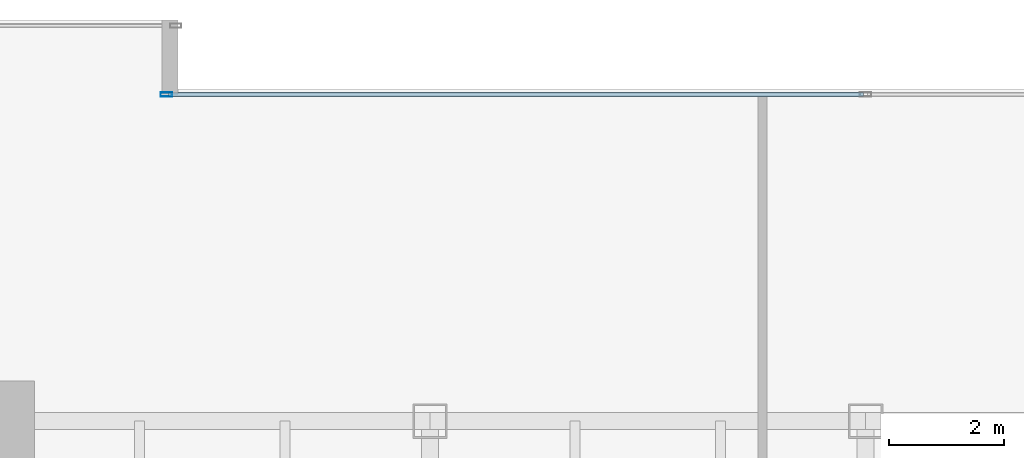
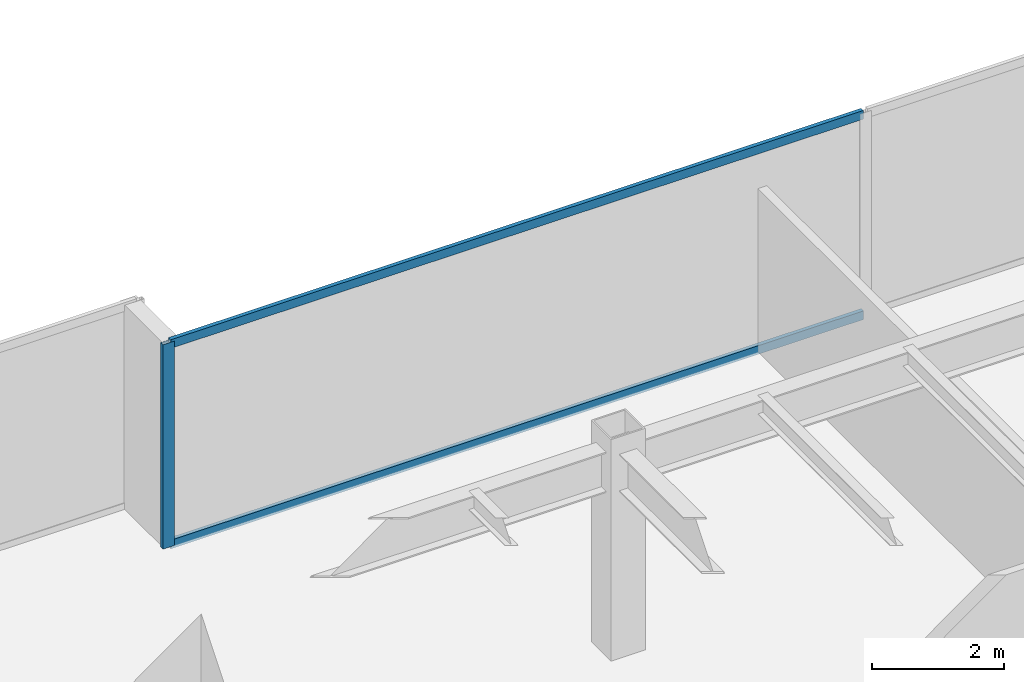
# One storey, part 14 of 35: 3 members, 1 element without a shape of its own.
"""IFC4 building model written with IfcOpenShell, lengths in metres."""

from ifc_helpers import new_model, si_unit, direction, frame, origin, origin_2d, place, context, subcontext, project, spatial, hollow_rectangle, extrude, source, transform, mapped, material, layer, layer_set, material_profile, profile_set, type_object, type_shapes, element, aggregate, save


model = new_model("IFC4")

# Units and contexts
model_context = context("Model", 3, precision=1e-05, world=origin(), true_north=direction((0.0, 1.0)))
body_context = subcontext(model_context, "Body", "Model", "MODEL_VIEW")
ifc_project = project(units=[si_unit("LENGTHUNIT", "METRE"), si_unit("AREAUNIT", "SQUARE_METRE"), si_unit("VOLUMEUNIT", "CUBIC_METRE"), si_unit("PLANEANGLEUNIT", "RADIAN"), si_unit("MASSUNIT", "GRAM", prefix="KILO")], contexts=[model_context])

# Site, building, storey
site_placement = place(None, origin())
site = spatial("IfcSite", under=ifc_project, at=site_placement, CompositionType="ELEMENT")
building_placement = place(site_placement, origin())
building = spatial("IfcBuilding", under=site, at=building_placement, Name="Haelvirn Gate Laboratories", CompositionType="ELEMENT")
storey_placement = place(building_placement, frame((0.0, 0.0, 58.0)))
storey = spatial("IfcBuildingStorey", under=building, at=storey_placement, Name="L14", CompositionType="ELEMENT", Elevation=58.0)

# Curtain wall, members
ifc_material_1 = material(Name="Anodised bronze unitised aluminium & triple low-E glass", Category="aluminium")
ifc_layer = layer(ifc_material_1, 0.18408203125, Name="CW-SYS-2")
ifc_layer_set = layer_set([ifc_layer], Name="Anodised bronze unitised aluminium & triple low-E glass")
curtain_wall_type = type_object("IfcCurtainWallType", Name="CW-SYS-2", PredefinedType="NOTDEFINED", material=ifc_layer_set)
curtain_wall_placement = place(storey_placement, origin())
curtain_wall = element("IfcCurtainWall", 1, at=curtain_wall_placement, inside=storey, type_object=curtain_wall_type, Name="L14 Unitised Curtain Wall CW-L14-P0-E12-1", PredefinedType="NOTDEFINED")
ifc_material_2 = material(Name="Extruded aluminium 6063-T6 (anodised bronze)", Category="aluminium")
ifc_material_profile_1 = material_profile(ifc_material_2, hollow_rectangle(XDim=0.074951171875, YDim=0.199951171875, WallThickness=0.0048828125, at=origin_2d()), Name="CWM-200x75x5")
ifc_profile_set_1 = profile_set([ifc_material_profile_1], Name="Extruded aluminium 6063-T6 (anodised bronze)")
member_type_1 = type_object("IfcMemberType", Name="CWM-T200", PredefinedType="MULLION", material=ifc_profile_set_1)
shared_shape_1 = source(origin(), body_context, "Body", "SweptSolid", [
    extrude(hollow_rectangle(XDim=0.074951171875, YDim=0.199951171875, WallThickness=0.0048828125, at=origin_2d()), origin(), (0.0, 0.0, 1.0), 3.780029296875),
])
type_shapes(member_type_1, [shared_shape_1])
member_1_placement = place(storey_placement, frame((25.197509765625, 47.300048828125, 0.0), z_axis=(0.0, 0.0, 1.0), x_axis=(0.0, 1.0, 0.0)))
member_1 = element("IfcMember", 2, at=member_1_placement, type_object=member_type_1, Name="CW2 mullion 1", PredefinedType="MULLION", context=body_context, shape_type="MappedRepresentation", body=[
    mapped(shared_shape_1, transform((0.0, 0.0, 0.0), scale=1.0)),
])
ifc_material_profile_2 = material_profile(ifc_material_2, hollow_rectangle(XDim=0.070068359375, YDim=0.159912109375, WallThickness=0.0048828125, at=origin_2d()), Name="CWT-160x70x5")
ifc_profile_set_2 = profile_set([ifc_material_profile_2], Name="Extruded aluminium 6063-T6 (anodised bronze)")
member_type_2 = type_object("IfcMemberType", Name="CWT-T160", PredefinedType="USERDEFINED", material=ifc_profile_set_2)
shared_shape_2 = source(origin(), body_context, "Body", "SweptSolid", [
    extrude(hollow_rectangle(XDim=0.070068359375, YDim=0.159912109375, WallThickness=0.0048828125, at=origin_2d()), origin(), (0.0, 0.0, 1.0), 12.12744140625),
])
type_shapes(member_type_2, [shared_shape_2])
member_2_placement = place(storey_placement, frame((25.235107421875, 47.300048828125, 0.034912109375), z_axis=(1.0, 0.0, 0.0), x_axis=(0.0, 1.0, 0.0)))
member_2 = element("IfcMember", 3, at=member_2_placement, type_object=member_type_2, Name="CW2 transom 1.1", ObjectType="TRANSOM", PredefinedType="USERDEFINED", context=body_context, shape_type="MappedRepresentation", body=[
    mapped(shared_shape_2, transform((0.0, 0.0, 0.0), scale=1.0)),
])
member_3_placement = place(storey_placement, frame((25.235107421875, 47.300048828125, 3.7451171875), z_axis=(1.0, 0.0, 0.0), x_axis=(0.0, 1.0, 0.0)))
member_3 = element("IfcMember", 4, at=member_3_placement, type_object=member_type_2, Name="CW2 transom 1.2", ObjectType="TRANSOM", PredefinedType="USERDEFINED", context=body_context, shape_type="MappedRepresentation", body=[
    mapped(shared_shape_2, transform((0.0, 0.0, 0.0), scale=1.0)),
])
aggregate(curtain_wall, [member_1, member_2, member_3])

save(model, "model.ifc")
